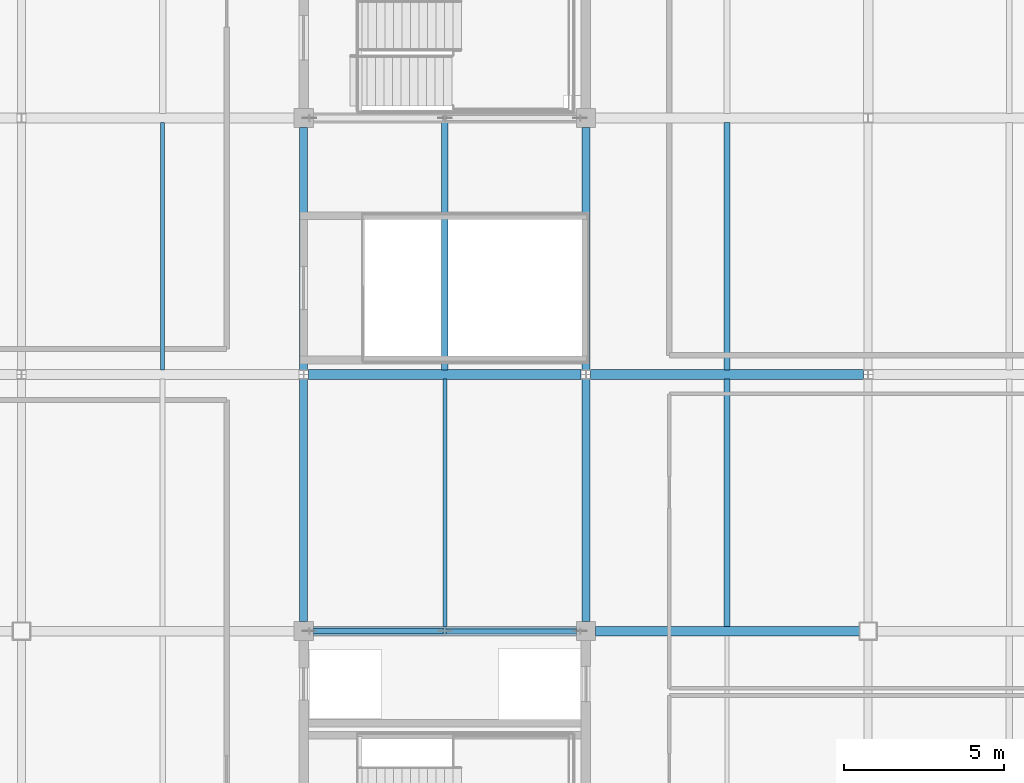
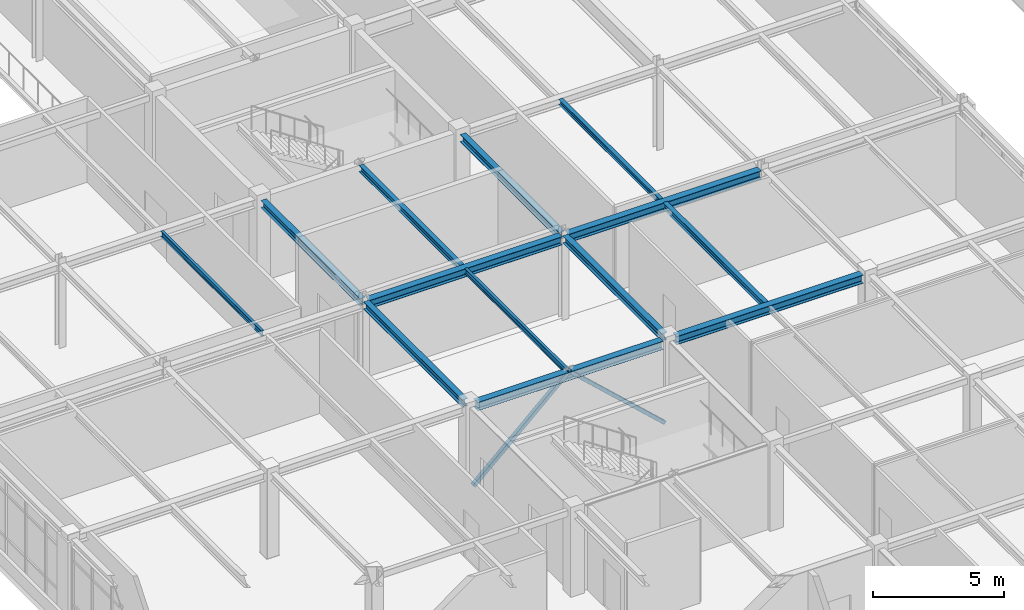
# One storey, part 27 of 88: 13 beams, 2 members.
"""IFC4 building model written with IfcOpenShell, lengths in metres."""

import ifcopenshell
import ifcopenshell.guid

model = None  # the IFC model being written
_history = None  # IfcOwnerHistory: only IFC2X3 demands one
_inside = {}  # id of a spatial element -> (the spatial element, [elements in it])
_under = {}  # id of a project, library or spatial element -> (it, [spatial elements below it])
_declared = {}  # id of a project -> (the project, [libraries it declares])
_typed = {}  # id of a type object -> (the type object, [elements of that type])
_made_of = {}  # id of a material, layer set ... -> (it, [elements and type objects made of it])


def new_model(schema):
    """Start an empty IFC model of exactly this schema.

    Asked for "IFC4X3", IfcOpenShell would pick the latest addendum, in which some entities
    have other attributes; the version numbers below select the first issue.
    IFC2X3 requires an IfcOwnerHistory on every rooted entity: one is made here for all.
    """
    global model, _history
    if schema == "IFC4X3":
        model = ifcopenshell.file(schema_version=(4, 3, 0, 0))
    else:
        model = ifcopenshell.file(schema=schema)
    _inside.clear()
    _under.clear()
    _declared.clear()
    _typed.clear()
    _made_of.clear()
    _history = None
    if model.schema == "IFC2X3":
        org = make("IfcOrganization", Name="unknown")
        user = make(
            "IfcPersonAndOrganization",
            ThePerson=make("IfcPerson", FamilyName="unknown"),
            TheOrganization=org,
        )
        app = make(
            "IfcApplication",
            ApplicationDeveloper=org,
            Version="unknown",
            ApplicationFullName="unknown",
            ApplicationIdentifier="unknown",
        )
        _history = make(
            "IfcOwnerHistory",
            OwningUser=user,
            OwningApplication=app,
            ChangeAction="ADDED",
            CreationDate=0,
        )
    return model


def make(cls, **values):
    """One entity of the class cls with the attributes given. An attribute that is None is left unset."""
    return model.create_entity(
        cls, **{name: value for name, value in values.items() if value is not None}
    )


def rooted(cls, **values):
    """An entity with a GlobalId (a new one), such as an element, a storey or a relation."""
    return make(cls, GlobalId=ifcopenshell.guid.new(), OwnerHistory=_history, **values)


def si_unit(unit_type, name, prefix=None):
    """IfcSIUnit, for example si_unit("LENGTHUNIT", "METRE", prefix="MILLI")."""
    return make("IfcSIUnit", UnitType=unit_type, Prefix=prefix, Name=name)


def assignment(units):
    """IfcUnitAssignment: the units of a project."""
    return None if units is None else make("IfcUnitAssignment", Units=units)


def point(xyz):
    """IfcCartesianPoint."""
    return None if xyz is None else make("IfcCartesianPoint", Coordinates=xyz)


def direction(xyz):
    """IfcDirection."""
    return None if xyz is None else make("IfcDirection", DirectionRatios=xyz)


def frame(location, z_axis=None, x_axis=None):
    """IfcAxis2Placement3D, a coordinate frame: its origin and axes. An axis left out is left unset."""
    return make(
        "IfcAxis2Placement3D",
        Location=point(location),
        Axis=direction(z_axis),
        RefDirection=direction(x_axis),
    )


def frame_2d(location, x_axis=None):
    """IfcAxis2Placement2D, a coordinate frame in the plane: its origin and x axis."""
    return make(
        "IfcAxis2Placement2D", Location=point(location), RefDirection=direction(x_axis)
    )


def origin():
    """The frame at (0, 0, 0) with its axes left unset."""
    return frame((0.0, 0.0, 0.0))


def origin_2d():
    """The frame at (0, 0) in the plane with its x axis left unset."""
    return frame_2d((0.0, 0.0))


def place(relative_to, where):
    """IfcLocalPlacement: puts the frame where relative to a parent placement (None: the world)."""
    return make(
        "IfcLocalPlacement", PlacementRelTo=relative_to, RelativePlacement=where
    )


def context(
    kind, dimensions, precision=None, world=None, true_north=None, identifier=None
):
    """IfcGeometricRepresentationContext, for example the 3D "Model" context."""
    return make(
        "IfcGeometricRepresentationContext",
        ContextIdentifier=identifier,
        ContextType=kind,
        CoordinateSpaceDimension=dimensions,
        Precision=precision,
        WorldCoordinateSystem=world,
        TrueNorth=true_north,
    )


def subcontext(parent, identifier, kind, view, scale=None):
    """IfcGeometricRepresentationSubContext, for example "Body" below "Model"."""
    return make(
        "IfcGeometricRepresentationSubContext",
        ContextIdentifier=identifier,
        ContextType=kind,
        ParentContext=parent,
        TargetScale=scale,
        TargetView=view,
    )


def project(units=None, contexts=None):
    """IfcProject with its units and contexts."""
    return rooted(
        "IfcProject",
        Name="project",
        RepresentationContexts=contexts,
        UnitsInContext=assignment(units),
    )


def spatial(cls, under=None, at=None, **own):
    """A site, building, storey or space (cls), placed at a placement, below another one or the project."""
    s = rooted(cls, ObjectPlacement=at, **own)
    if under is not None:
        _under.setdefault(under.id(), (under, []))[1].append(s)
    return s


def profile(cls, at=None, kind="AREA", **sizes):
    """A parametric profile (cls). Its sizes go by their IFC names, for example OverallWidth=200.0."""
    return make(cls, ProfileType=kind, Position=at, **sizes)


def hollow_rectangle(**sizes):
    """IfcRectangleHollowProfileDef."""
    return profile("IfcRectangleHollowProfileDef", **sizes)


def i_section(**sizes):
    """IfcIShapeProfileDef."""
    return profile("IfcIShapeProfileDef", **sizes)


def extrude(swept, where, along, depth):
    """IfcExtrudedAreaSolid: the profile swept, set in the frame where, extruded along a direction by depth."""
    return make(
        "IfcExtrudedAreaSolid",
        SweptArea=swept,
        Position=where,
        ExtrudedDirection=direction(along),
        Depth=depth,
    )


def shape(context_of_items, identifier, shape_type, items):
    """IfcShapeRepresentation: the items that make up one representation, for example the "Body"."""
    return make(
        "IfcShapeRepresentation",
        ContextOfItems=context_of_items,
        RepresentationIdentifier=identifier,
        RepresentationType=shape_type,
        Items=items,
    )


def material(Name=None, Category=None):
    """IfcMaterial."""
    return make("IfcMaterial", Name=Name, Category=Category)


def material_profile(
    of_material, cross_section, Name=None, Category=None, Priority=None
):
    """IfcMaterialProfile: a cross section and its material."""
    return make(
        "IfcMaterialProfile",
        Name=Name,
        Material=of_material,
        Profile=cross_section,
        Priority=Priority,
        Category=Category,
    )


def profile_set(profiles, Name=None, composite=None):
    """IfcMaterialProfileSet."""
    return make(
        "IfcMaterialProfileSet",
        Name=Name,
        MaterialProfiles=profiles,
        CompositeProfile=composite,
    )


def made_of(thing, what):
    """Note that an element or type object is made of a material, layer set ...; save() writes the relation."""
    if what is not None:
        _made_of.setdefault(what.id(), (what, []))[1].append(thing)
    return thing


def type_object(cls, material=None, **own):
    """A type object (cls), such as IfcWallType, which elements share."""
    return made_of(rooted(cls, **own), material)


def element(
    cls,
    number,
    at=None,
    inside=None,
    cuts=None,
    type_object=None,
    material=None,
    context=None,
    identifier="Body",
    shape_type=None,
    held_by="IfcProductDefinitionShape",
    body=None,
    shapes=None,
    **own,
):
    """One element of the class cls, such as IfcWall. Its Tag is "e" and its number.

    at: its placement. inside: the storey or other place that contains it. cuts: it is an
    opening in that element (IfcRelVoidsElement). A single representation is given by context,
    identifier, shape_type and body (its items); several are given by shapes. held_by: the class
    of the entity that holds the representations. save() writes the other relations.
    """
    e = rooted(cls, Tag="e%d" % number, ObjectPlacement=at, **own)
    if body is not None:
        shapes = [shape(context, identifier, shape_type, body)]
    if shapes is not None:
        e.Representation = make(held_by, Representations=shapes)
    if inside is not None:
        _inside.setdefault(inside.id(), (inside, []))[1].append(e)
    if cuts is not None:
        rooted(
            "IfcRelVoidsElement", RelatingBuildingElement=cuts, RelatedOpeningElement=e
        )
    if type_object is not None:
        _typed.setdefault(type_object.id(), (type_object, []))[1].append(e)
    return made_of(e, material)


def aggregate(whole, parts):
    """IfcRelAggregates: a whole, such as a stair, and the parts it consists of."""
    return rooted("IfcRelAggregates", RelatingObject=whole, RelatedObjects=parts)


def save(model, path):
    """Write the relations noted so far, then the file.

    IfcRelAggregates (storeys below a building ...), IfcRelContainedInSpatialStructure (elements
    in a storey), IfcRelDefinesByType, IfcRelAssociatesMaterial and IfcRelDeclares: one each for
    every whole, place, type object, material and project.
    """
    for whole, parts in _under.values():
        aggregate(whole, parts)
    for where, things in _inside.values():
        rooted(
            "IfcRelContainedInSpatialStructure",
            RelatedElements=things,
            RelatingStructure=where,
        )
    for kind, things in _typed.values():
        rooted("IfcRelDefinesByType", RelatedObjects=things, RelatingType=kind)
    for what, things in _made_of.values():
        rooted("IfcRelAssociatesMaterial", RelatedObjects=things, RelatingMaterial=what)
    for by, libraries in _declared.values():
        rooted("IfcRelDeclares", RelatingContext=by, RelatedDefinitions=libraries)
    model.write(path)


model = new_model("IFC4")

# Units and contexts
model_context = context("Model", 3, precision=1e-05, world=origin(), true_north=direction((0.0, 1.0)))
body_context = subcontext(model_context, "Body", "Model", "MODEL_VIEW")
ifc_project = project(units=[si_unit("LENGTHUNIT", "METRE"), si_unit("AREAUNIT", "SQUARE_METRE"), si_unit("VOLUMEUNIT", "CUBIC_METRE"), si_unit("PLANEANGLEUNIT", "RADIAN"), si_unit("MASSUNIT", "GRAM", prefix="KILO")], contexts=[model_context])

# Site, building, storey
site_placement = place(None, origin())
site = spatial("IfcSite", under=ifc_project, at=site_placement, CompositionType="ELEMENT")
building_placement = place(site_placement, origin())
building = spatial("IfcBuilding", under=site, at=building_placement, Name="Zhaolan Boulevard Law Courts", CompositionType="ELEMENT")
storey_placement = place(building_placement, frame((0.0, 0.0, 16.199951171875)))
storey = spatial("IfcBuildingStorey", under=building, at=storey_placement, Name="L03", CompositionType="ELEMENT", Elevation=16.199951171875)

# Members
ifc_material_1 = material(Name="Structural steel Q355B", Category="steel")
ifc_material_profile_1 = material_profile(ifc_material_1, hollow_rectangle(XDim=0.159912109375, YDim=0.159912109375, WallThickness=0.008056640625, InnerFilletRadius=0.008056640625, OuterFilletRadius=0.01611328125, at=origin_2d()), Name="HSS160x160x8")
ifc_profile_set_1 = profile_set([ifc_material_profile_1], Name="Structural steel Q355B")
member_type_1 = type_object("IfcMemberType", Name="BRACE HSS160", PredefinedType="BRACE", material=ifc_profile_set_1)
member_1_placement = place(storey_placement, frame((26.219970703125, 70.0, 0.030029296875), z_axis=(-0.73525664892, 0.0, 0.677788802076), x_axis=(0.0, -1.0, 0.0)))
element("IfcMember", 1, at=member_1_placement, inside=storey, type_object=member_type_1, Name="Core Brace BR-W2-L03-N2", PredefinedType="BRACE", context=body_context, shape_type="SweptSolid", body=[
    extrude(hollow_rectangle(XDim=0.159912109375, YDim=0.159912109375, WallThickness=0.008056640625, InnerFilletRadius=0.008056640625, OuterFilletRadius=0.01611328125, at=origin_2d()), origin(), (0.0, 0.0, 1.0), 5.739501953125),
])
ifc_material_2 = material(Name="Structural steel Q355B", Category="steel")
ifc_material_profile_2 = material_profile(ifc_material_2, hollow_rectangle(XDim=0.179931640625, YDim=0.179931640625, WallThickness=0.008056640625, InnerFilletRadius=0.008056640625, OuterFilletRadius=0.01611328125, at=origin_2d()), Name="HSS180x180x8")
ifc_profile_set_2 = profile_set([ifc_material_profile_2], Name="Structural steel Q355B")
member_type_2 = type_object("IfcMemberType", Name="BRACE HSS180", PredefinedType="BRACE", material=ifc_profile_set_2)
member_2_placement = place(storey_placement, frame((17.780029296875, 70.0, 0.030029296875), z_axis=(0.73525664892, 0.0, 0.677788802076), x_axis=(0.0, 1.0, 0.0)))
element("IfcMember", 2, at=member_2_placement, inside=storey, type_object=member_type_2, Name="Core Brace BR-W2-L03-N1", PredefinedType="BRACE", context=body_context, shape_type="SweptSolid", body=[
    extrude(hollow_rectangle(XDim=0.179931640625, YDim=0.179931640625, WallThickness=0.008056640625, InnerFilletRadius=0.008056640625, OuterFilletRadius=0.01611328125, at=origin_2d()), origin(), (0.0, 0.0, 1.0), 5.739501953125),
])

# Beams
ifc_material_3 = material(Name="Structural steel Q355B", Category="steel")
ifc_material_profile_3 = material_profile(ifc_material_3, i_section(OverallWidth=0.25, OverallDepth=0.340087890625, WebThickness=0.009033203125, FlangeThickness=0.013916015625, FilletRadius=0.01611328125, at=origin_2d()), Name="HM340x250")
ifc_profile_set_3 = profile_set([ifc_material_profile_3], Name="Structural steel Q355B")
beam_type_1 = type_object("IfcBeamType", Name="GIRDER HM340", PredefinedType="BEAM", material=ifc_profile_set_3)
for number, where, z_axis, x_axis, name in (
    (3, (17.60009765625, 70.2958984375, 3.778076171875), (0.0, 1.0, 0.0), (-1.0, 0.0, 0.0), "Beam BY-L04-3-K-L"),
    (4, (17.60009765625, 78.14599609375, 3.748046875), (0.0, 1.0, 0.0), (-1.0, 0.0, 0.0), "Beam BY-L04-3-L-M"),
    (5, (26.39990234375, 70.2958984375, 3.778076171875), (0.0, 1.0, 0.0), (-1.0, 0.0, 0.0), "Beam BY-L04-4-K-L"),
    (6, (26.39990234375, 78.14599609375, 3.748046875), (0.0, 1.0, 0.0), (-1.0, 0.0, 0.0), "Beam BY-L04-4-L-M"),
):
    element("IfcBeam", number, at=place(storey_placement, frame(where, z_axis=z_axis, x_axis=x_axis)), inside=storey, type_object=beam_type_1, Name=name, PredefinedType="BEAM", context=body_context, shape_type="SweptSolid", body=[
        extrude(i_section(OverallWidth=0.25, OverallDepth=0.340087890625, WebThickness=0.009033203125, FlangeThickness=0.013916015625, FilletRadius=0.01611328125, at=origin_2d()), origin(), (0.0, 0.0, 1.0), 7.55810546875),
    ])
ifc_material_4 = material(Name="Structural steel Q355B", Category="steel")
ifc_material_profile_4 = material_profile(ifc_material_4, i_section(OverallWidth=0.300048828125, OverallDepth=0.389892578125, WebThickness=0.010009765625, FlangeThickness=0.01611328125, FilletRadius=0.01806640625, at=origin_2d()), Name="HM390x300")
ifc_profile_set_4 = profile_set([ifc_material_profile_4], Name="Structural steel Q355B")
beam_type_2 = type_object("IfcBeamType", Name="GIRDER HM390", PredefinedType="BEAM", material=ifc_profile_set_4)
beam_1_placement = place(storey_placement, frame((17.89599609375, 70.0, 3.7529296875), z_axis=(1.0, 0.0, 0.0), x_axis=(0.0, 1.0, 0.0)))
element("IfcBeam", 7, at=beam_1_placement, inside=storey, type_object=beam_type_2, Name="Beam BX-L04-3-4-K", PredefinedType="BEAM", context=body_context, shape_type="SweptSolid", body=[
    extrude(i_section(OverallWidth=0.300048828125, OverallDepth=0.389892578125, WebThickness=0.010009765625, FlangeThickness=0.01611328125, FilletRadius=0.01806640625, at=origin_2d()), origin(), (0.0, 0.0, 1.0), 8.2080078125),
])
beam_2_placement = place(storey_placement, frame((26.696044921875, 70.0, 3.7529296875), z_axis=(1.0, 0.0, 0.0), x_axis=(0.0, 1.0, 0.0)))
element("IfcBeam", 8, at=beam_2_placement, inside=storey, type_object=beam_type_2, Name="Beam BX-L04-4-5-K", PredefinedType="BEAM", context=body_context, shape_type="SweptSolid", body=[
    extrude(i_section(OverallWidth=0.300048828125, OverallDepth=0.389892578125, WebThickness=0.010009765625, FlangeThickness=0.01611328125, FilletRadius=0.01806640625, at=origin_2d()), origin(), (0.0, 0.0, 1.0), 8.23291015625),
])
beam_3_placement = place(storey_placement, frame((17.74609375, 78.0, 3.72314453125), z_axis=(1.0, 0.0, 0.0), x_axis=(0.0, 1.0, 0.0)))
element("IfcBeam", 9, at=beam_3_placement, inside=storey, type_object=beam_type_2, Name="Beam BX-L04-3-4-L", PredefinedType="BEAM", context=body_context, shape_type="SweptSolid", body=[
    extrude(i_section(OverallWidth=0.300048828125, OverallDepth=0.389892578125, WebThickness=0.010009765625, FlangeThickness=0.01611328125, FilletRadius=0.01806640625, at=origin_2d()), origin(), (0.0, 0.0, 1.0), 8.5078125),
])
beam_4_placement = place(storey_placement, frame((26.5458984375, 78.0, 3.72314453125), z_axis=(1.0, 0.0, 0.0), x_axis=(0.0, 1.0, 0.0)))
element("IfcBeam", 10, at=beam_4_placement, inside=storey, type_object=beam_type_2, Name="Beam BX-L04-4-5-L", PredefinedType="BEAM", context=body_context, shape_type="SweptSolid", body=[
    extrude(i_section(OverallWidth=0.300048828125, OverallDepth=0.389892578125, WebThickness=0.010009765625, FlangeThickness=0.01611328125, FilletRadius=0.01806640625, at=origin_2d()), origin(), (0.0, 0.0, 1.0), 8.508056640625),
])
ifc_material_5 = material(Name="Structural steel Q355B", Category="steel")
ifc_material_profile_5 = material_profile(ifc_material_5, i_section(OverallWidth=0.175048828125, OverallDepth=0.243896484375, WebThickness=0.007080078125, FlangeThickness=0.010986328125, FilletRadius=0.012939453125, at=origin_2d()), Name="HM244x175")
ifc_profile_set_5 = profile_set([ifc_material_profile_5], Name="Structural steel Q355B")
beam_type_3 = type_object("IfcBeamType", Name="JOIST HM244", PredefinedType="JOIST", material=ifc_profile_set_5)
beam_5_placement = place(storey_placement, frame((30.800048828125, 78.14599609375, 3.796142578125), z_axis=(0.0, 1.0, 0.0), x_axis=(-1.0, 0.0, 0.0)))
element("IfcBeam", 11, at=beam_5_placement, inside=storey, type_object=beam_type_3, Name="Composite Joist J-L04-4L", PredefinedType="JOIST", context=body_context, shape_type="SweptSolid", body=[
    extrude(i_section(OverallWidth=0.175048828125, OverallDepth=0.243896484375, WebThickness=0.007080078125, FlangeThickness=0.010986328125, FilletRadius=0.012939453125, at=origin_2d()), origin(), (0.0, 0.0, 1.0), 7.7080078125),
])
ifc_material_6 = material(Name="Structural steel Q355B", Category="steel")
ifc_material_profile_6 = material_profile(ifc_material_6, i_section(OverallWidth=0.199951171875, OverallDepth=0.2939453125, WebThickness=0.008056640625, FlangeThickness=0.011962890625, FilletRadius=0.01611328125, at=origin_2d()), Name="HM294x200")
ifc_profile_set_6 = profile_set([ifc_material_profile_6], Name="Structural steel Q355B")
beam_type_4 = type_object("IfcBeamType", Name="JOIST HM294", PredefinedType="JOIST", material=ifc_profile_set_6)
for number, where, z_axis, x_axis, name in (
    (12, (22.0, 78.14599609375, 3.77099609375), (0.0, 1.0, 0.0), (-1.0, 0.0, 0.0), "Composite Joist J-L04-3L"),
    (13, (30.800048828125, 70.14599609375, 3.801025390625), (0.0, 1.0, 0.0), (-1.0, 0.0, 0.0), "Composite Joist J-L04-4K"),
):
    element("IfcBeam", number, at=place(storey_placement, frame(where, z_axis=z_axis, x_axis=x_axis)), inside=storey, type_object=beam_type_4, Name=name, PredefinedType="JOIST", context=body_context, shape_type="SweptSolid", body=[
        extrude(i_section(OverallWidth=0.199951171875, OverallDepth=0.2939453125, WebThickness=0.008056640625, FlangeThickness=0.011962890625, FilletRadius=0.01611328125, at=origin_2d()), origin(), (0.0, 0.0, 1.0), 7.7080078125),
    ])
ifc_material_7 = material(Name="Structural steel Q355B", Category="steel")
ifc_material_profile_7 = material_profile(ifc_material_7, i_section(OverallWidth=0.125, OverallDepth=0.25, WebThickness=0.006103515625, FlangeThickness=0.009033203125, FilletRadius=0.010009765625, at=origin_2d()), Name="HN250x125")
ifc_profile_set_7 = profile_set([ifc_material_profile_7], Name="Structural steel Q355B")
beam_type_5 = type_object("IfcBeamType", Name="JOIST HN250", PredefinedType="JOIST", material=ifc_profile_set_7)
for number, where, z_axis, x_axis, name in (
    (14, (13.199951171875, 78.14599609375, 3.79296875), (0.0, 1.0, 0.0), (-1.0, 0.0, 0.0), "Composite Joist J-L04-2L"),
    (15, (22.0, 70.14599609375, 3.822998046875), (0.0, 1.0, 0.0), (-1.0, 0.0, 0.0), "Composite Joist J-L04-3K"),
):
    element("IfcBeam", number, at=place(storey_placement, frame(where, z_axis=z_axis, x_axis=x_axis)), inside=storey, type_object=beam_type_5, Name=name, PredefinedType="JOIST", context=body_context, shape_type="SweptSolid", body=[
        extrude(i_section(OverallWidth=0.125, OverallDepth=0.25, WebThickness=0.006103515625, FlangeThickness=0.009033203125, FilletRadius=0.010009765625, at=origin_2d()), origin(), (0.0, 0.0, 1.0), 7.7080078125),
    ])

save(model, "model.ifc")
